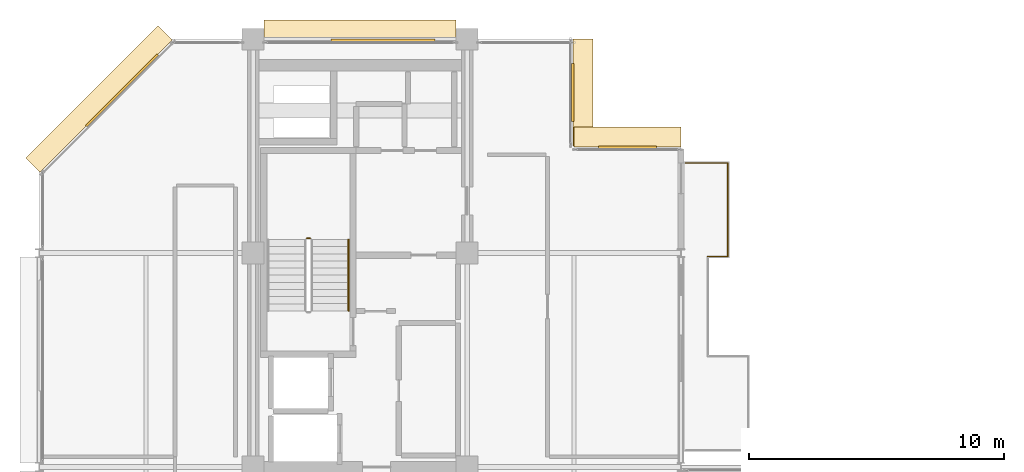
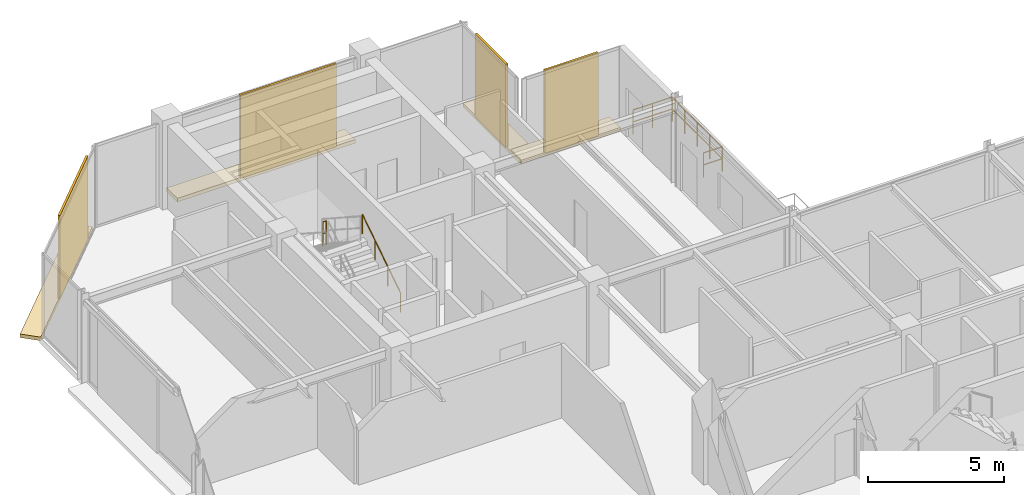
# One storey, part 27 of 27: 8 coverings, 5 railings.
"""IFC4 building model written with IfcOpenShell, lengths in metres."""

from ifc_helpers import new_model, si_unit, direction, frame, origin, origin_2d, place, context, subcontext, project, spatial, polyline, rectangle, circle, outline, extrude, material, layer, layer_set, type_object, element, save


model = new_model("IFC4")

# Units and contexts
model_context = context("Model", 3, precision=1e-05, world=origin(), true_north=direction((0.0, 1.0)))
body_context = subcontext(model_context, "Body", "Model", "MODEL_VIEW")
ifc_project = project(units=[si_unit("LENGTHUNIT", "METRE"), si_unit("AREAUNIT", "SQUARE_METRE"), si_unit("VOLUMEUNIT", "CUBIC_METRE"), si_unit("PLANEANGLEUNIT", "RADIAN"), si_unit("MASSUNIT", "GRAM", prefix="KILO")], contexts=[model_context])

# Site, building, storey
site_placement = place(None, origin())
site = spatial("IfcSite", under=ifc_project, at=site_placement, CompositionType="ELEMENT")
building_placement = place(site_placement, origin())
building = spatial("IfcBuilding", under=site, at=building_placement, Name="Nerrivon Quay Data Exchange", CompositionType="ELEMENT")
storey_placement = place(building_placement, frame((0.0, 0.0, 266.199951171875)))
storey = spatial("IfcBuildingStorey", under=building, at=storey_placement, Name="L63", CompositionType="ELEMENT", Elevation=266.199951171875)

# Coverings
ifc_material_1 = material(Name="Architectural terracotta ceramic", Category="masonry")
ifc_layer_1 = layer(ifc_material_1, 0.159912109375)
ifc_layer_set_1 = layer_set([ifc_layer_1], Name="Architectural terracotta ceramic")
covering_type_1 = type_object("IfcCoveringType", Name="COV-BLD-TERR", PredefinedType="CLADDING", material=ifc_layer_set_1)
covering_1_placement = place(storey_placement, frame((0.0, 0.0, -0.159912109375)))
element("IfcCovering", 1, at=covering_1_placement, inside=storey, type_object=covering_type_1, Name="L63 Horizontal Terracotta SOLAR SCREEN Blade", PredefinedType="CLADDING", context=body_context, shape_type="SweptSolid", body=[
    extrude(outline(polyline([(0.0283203125, 36.771728515625), (5.228271484375, 41.9716796875), (4.669677734375, 42.5302734375), (-0.5302734375, 37.330322265625), (0.0283203125, 36.771728515625)])), origin(), (0.0, 0.0, 1.0), 0.159912109375),
])
covering_2_placement = place(storey_placement, frame((0.0, 0.0, -0.159912109375)))
element("IfcCovering", 2, at=covering_2_placement, inside=storey, type_object=covering_type_1, Name="L63 Horizontal Terracotta SOLAR SCREEN Blade", PredefinedType="CLADDING", context=body_context, shape_type="SweptSolid", body=[
    extrude(outline(polyline([(8.824951171875, 41.9599609375), (16.375, 41.9599609375), (16.375, 42.75), (8.824951171875, 42.75), (8.824951171875, 41.9599609375)])), origin(), (0.0, 0.0, 1.0), 0.159912109375),
])
covering_3_placement = place(storey_placement, frame((0.0, 0.0, -0.159912109375)))
element("IfcCovering", 3, at=covering_3_placement, inside=storey, type_object=covering_type_1, Name="L63 Horizontal Terracotta SOLAR SCREEN Blade", PredefinedType="CLADDING", context=body_context, shape_type="SweptSolid", body=[
    extrude(outline(polyline([(20.9599609375, 42.0), (20.9599609375, 37.800048828125), (21.75, 37.800048828125), (21.75, 42.0), (20.9599609375, 42.0)])), origin(), (0.0, 0.0, 1.0), 0.159912109375),
])
covering_4_placement = place(storey_placement, frame((0.0, 0.0, -0.159912109375)))
element("IfcCovering", 4, at=covering_4_placement, inside=storey, type_object=covering_type_1, Name="L63 Horizontal Terracotta SOLAR SCREEN Blade", PredefinedType="CLADDING", context=body_context, shape_type="SweptSolid", body=[
    extrude(outline(polyline([(21.0, 37.760009765625), (25.199951171875, 37.760009765625), (25.199951171875, 38.550048828125), (21.0, 38.550048828125), (21.0, 37.760009765625)])), origin(), (0.0, 0.0, 1.0), 0.159912109375),
])
ifc_layer_2 = layer(ifc_material_1, 0.090087890625)
ifc_layer_set_2 = layer_set([ifc_layer_2], Name="Architectural terracotta ceramic")
covering_type_2 = type_object("IfcCoveringType", Name="COV-SCR-TERR", PredefinedType="CLADDING", material=ifc_layer_set_2)
covering_5_placement = place(storey_placement, frame((3.255859375, 39.9921875, 0.0), z_axis=(0.0, 0.0, 1.0), x_axis=(0.707106781187, 0.707106781187, 0.0)))
element("IfcCovering", 5, at=covering_5_placement, inside=storey, type_object=covering_type_2, Name="L63 Perforated Terracotta SOLAR SCREEN Cassette", PredefinedType="CLADDING", context=body_context, shape_type="SweptSolid", body=[
    extrude(rectangle(XDim=3.970947265625, YDim=0.090087890625, at=origin_2d()), origin(), (0.0, 0.0, 1.0), 3.72509765625),
])
covering_6_placement = place(storey_placement, frame((13.506103515625, 41.955078125, 0.0), z_axis=(0.0, 0.0, 1.0), x_axis=(1.0, 0.0, 0.0)))
element("IfcCovering", 6, at=covering_6_placement, inside=storey, type_object=covering_type_2, Name="L63 Perforated Terracotta SOLAR SCREEN Cassette", PredefinedType="CLADDING", context=body_context, shape_type="SweptSolid", body=[
    extrude(rectangle(XDim=4.076904296875, YDim=0.090087890625, at=origin_2d()), origin(), (0.0, 0.0, 1.0), 3.72509765625),
])
for number, where, z_axis, x_axis, name in (
    (7, (20.955078125, 39.89990234375, 0.0), (0.0, 0.0, 1.0), (0.0, -1.0, 0.0), "L63 Perforated Terracotta SOLAR SCREEN Cassette"),
    (8, (23.10009765625, 37.7548828125, 0.0), (0.0, 0.0, 1.0), (1.0, 0.0, 0.0), "L63 Perforated Terracotta SOLAR SCREEN Cassette"),
):
    element("IfcCovering", number, at=place(storey_placement, frame(where, z_axis=z_axis, x_axis=x_axis)), inside=storey, type_object=covering_type_2, Name=name, PredefinedType="CLADDING", context=body_context, shape_type="SweptSolid", body=[
        extrude(rectangle(XDim=2.26806640625, YDim=0.090087890625, at=origin_2d()), origin(), (0.0, 0.0, 1.0), 3.72509765625),
    ])

# Railings
ifc_material_2 = material(Name="Steel Grade C350L0 (350 MPa)", Category="steel")
railing_type_1 = type_object("IfcRailingType", Name="RAIL-GUARD-GR2", PredefinedType="BALUSTRADE", material=ifc_material_2)
railing_1_placement = place(storey_placement, frame((25.3798828125, 37.139892578125, 0.0)))
element("IfcRailing", 9, at=railing_1_placement, inside=storey, type_object=railing_type_1, Name="L63 Verandah Balcony Guard 1.4 1", PredefinedType="BALUSTRADE", context=body_context, shape_type="SweptSolid", body=[
    extrude(circle(Radius=0.02392578125, at=origin_2d()), frame((0.0, 0.0, 1.09619140625), z_axis=(1.0, 0.0, 0.0), x_axis=(0.0, 1.0, 0.0)), (0.0, 0.0, 1.0), 1.66015625),
    extrude(circle(Radius=0.02392578125, at=origin_2d()), frame((0.0, 0.0, 0.56005859375), z_axis=(1.0, 0.0, 0.0), x_axis=(0.0, 1.0, 0.0)), (0.0, 0.0, 1.0), 1.66015625),
    extrude(circle(Radius=0.02099609375, at=origin_2d()), origin(), (0.0, 0.0, 1.0), 1.072021484375),
    extrude(circle(Radius=0.02099609375, at=origin_2d()), frame((0.830078125, 0.0, 0.0)), (0.0, 0.0, 1.0), 1.072021484375),
    extrude(circle(Radius=0.02099609375, at=origin_2d()), frame((1.66015625, 0.0, 0.0)), (0.0, 0.0, 1.0), 1.072021484375),
])
railing_2_placement = place(storey_placement, frame((27.0400390625, 37.139892578125, 0.0)))
element("IfcRailing", 10, at=railing_2_placement, inside=storey, type_object=railing_type_1, Name="L63 Verandah Balcony Guard 1.5 1", PredefinedType="BALUSTRADE", context=body_context, shape_type="SweptSolid", body=[
    extrude(circle(Radius=0.02392578125, at=origin_2d()), frame((0.0, 0.0, 1.09619140625), z_axis=(0.0, -1.0, 0.0), x_axis=(1.0, 0.0, 0.0)), (0.0, 0.0, 1.0), 3.679931640625),
    extrude(circle(Radius=0.02392578125, at=origin_2d()), frame((0.0, 0.0, 0.56005859375), z_axis=(0.0, -1.0, 0.0), x_axis=(1.0, 0.0, 0.0)), (0.0, 0.0, 1.0), 3.679931640625),
    extrude(circle(Radius=0.02099609375, at=origin_2d()), origin(), (0.0, 0.0, 1.0), 1.072021484375),
    extrude(circle(Radius=0.02099609375, at=origin_2d()), frame((0.0, -0.919921875, 0.0)), (0.0, 0.0, 1.0), 1.072021484375),
    extrude(circle(Radius=0.02099609375, at=origin_2d()), frame((0.0, -1.83984375, 0.0)), (0.0, 0.0, 1.0), 1.072021484375),
    extrude(circle(Radius=0.02099609375, at=origin_2d()), frame((0.0, -2.760009765625, 0.0)), (0.0, 0.0, 1.0), 1.072021484375),
    extrude(circle(Radius=0.02099609375, at=origin_2d()), frame((0.0, -3.679931640625, 0.0)), (0.0, 0.0, 1.0), 1.072021484375),
])
railing_3_placement = place(storey_placement, frame((27.0400390625, 33.4599609375, 0.0)))
element("IfcRailing", 11, at=railing_3_placement, inside=storey, type_object=railing_type_1, Name="L63 Verandah Balcony Guard 1.6 1", PredefinedType="BALUSTRADE", context=body_context, shape_type="SweptSolid", body=[
    extrude(circle(Radius=0.02392578125, at=origin_2d()), frame((0.0, 0.0, 1.09619140625), z_axis=(-1.0, 0.0, 0.0), x_axis=(0.0, -1.0, 0.0)), (0.0, 0.0, 1.0), 0.800048828125),
    extrude(circle(Radius=0.02392578125, at=origin_2d()), frame((0.0, 0.0, 0.56005859375), z_axis=(-1.0, 0.0, 0.0), x_axis=(0.0, -1.0, 0.0)), (0.0, 0.0, 1.0), 0.800048828125),
    extrude(circle(Radius=0.02099609375, at=origin_2d()), origin(), (0.0, 0.0, 1.0), 1.072021484375),
    extrude(circle(Radius=0.02099609375, at=origin_2d()), frame((-0.800048828125, 0.0, 0.0)), (0.0, 0.0, 1.0), 1.072021484375),
])
railing_type_2 = type_object("IfcRailingType", Name="RAIL-HAND-HR1", PredefinedType="HANDRAIL", material=ifc_material_2)
railing_4_placement = place(storey_placement, frame((12.14990234375, 31.330078125, 0.181884765625)))
element("IfcRailing", 12, at=railing_4_placement, inside=storey, type_object=railing_type_2, Name="L63 ST01 stair handrail 1", PredefinedType="HANDRAIL", context=body_context, shape_type="SweptSolid", body=[
    extrude(circle(Radius=0.02392578125, at=origin_2d()), frame((0.0, 0.0, 0.8759765625), z_axis=(0.0, 0.83868413941, 0.544618136222), x_axis=(-1.0, 0.0, 0.0)), (0.0, 0.0, 1.0), 3.33837890625),
    extrude(circle(Radius=0.02099609375, at=origin_2d()), origin(), (0.0, 0.0, 1.0), 0.851806640625),
    extrude(circle(Radius=0.02099609375, at=origin_2d()), frame((0.0, 0.933349609375, 0.60595703125)), (0.0, 0.0, 1.0), 0.851806640625),
    extrude(circle(Radius=0.02099609375, at=origin_2d()), frame((0.0, 1.866455078125, 1.212158203125)), (0.0, 0.0, 1.0), 0.851806640625),
    extrude(circle(Radius=0.02099609375, at=origin_2d()), frame((0.0, 2.7998046875, 1.818115234375)), (0.0, 0.0, 1.0), 0.851806640625),
])
railing_type_3 = type_object("IfcRailingType", Name="RAIL-STAIR-GR1", PredefinedType="BALUSTRADE", material=ifc_material_2)
railing_5_placement = place(storey_placement, frame((10.64990234375, 34.179931640625, 2.0)))
element("IfcRailing", 13, at=railing_5_placement, inside=storey, type_object=railing_type_3, Name="L63 ST01 stair guard 2", PredefinedType="BALUSTRADE", context=body_context, shape_type="SweptSolid", body=[
    extrude(circle(Radius=0.02392578125, at=origin_2d()), frame((0.0, 0.0, 1.076171875), z_axis=(-1.0, 0.0, 0.0), x_axis=(0.0, -1.0, 0.0)), (0.0, 0.0, 1.0), 0.14990234375),
    extrude(circle(Radius=0.02392578125, at=origin_2d()), frame((0.0, 0.0, 0.550048828125), z_axis=(-1.0, 0.0, 0.0), x_axis=(0.0, -1.0, 0.0)), (0.0, 0.0, 1.0), 0.14990234375),
    extrude(circle(Radius=0.02099609375, at=origin_2d()), origin(), (0.0, 0.0, 1.0), 1.052001953125),
    extrude(circle(Radius=0.02099609375, at=origin_2d()), frame((-0.14990234375, 0.0, 0.0)), (0.0, 0.0, 1.0), 1.052001953125),
])

save(model, "model.ifc")
